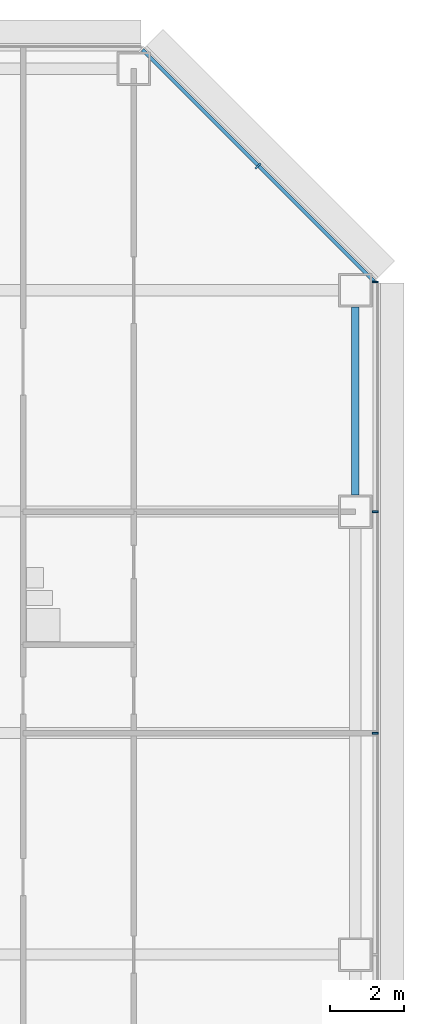
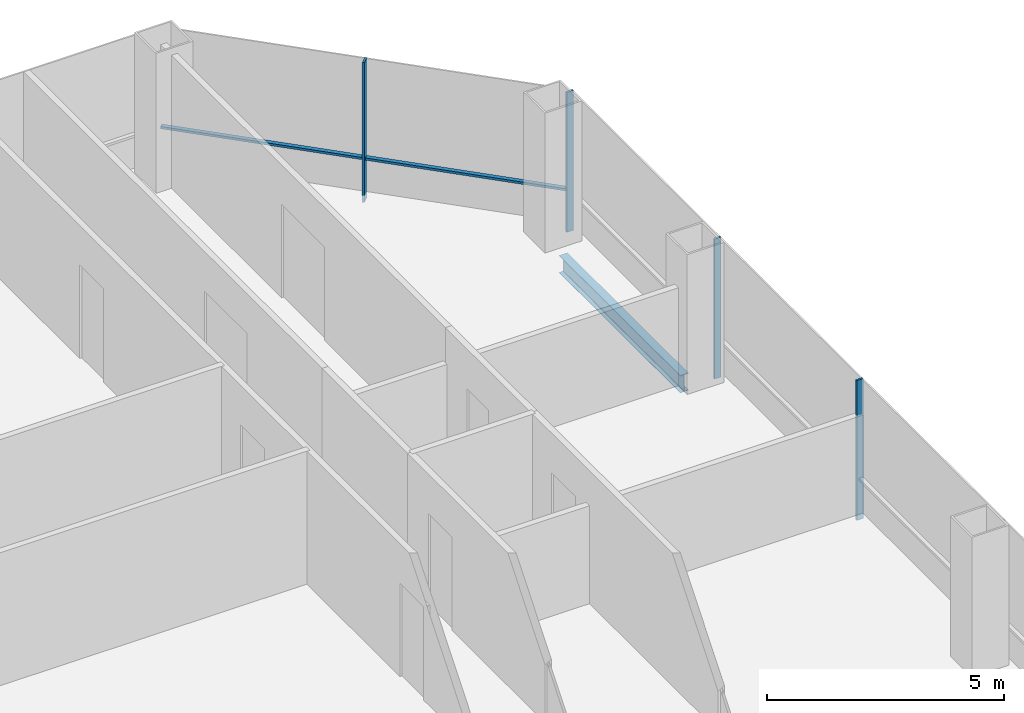
# One storey, part 18 of 28: 5 members, 1 beam, 2 elements without a shape of their own.
"""IFC4 building model written with IfcOpenShell, lengths in metres."""

from ifc_helpers import new_model, si_unit, direction, frame, origin, origin_2d, place, context, subcontext, project, spatial, rectangle, i_section, extrude, material, material_profile, profile_set, type_object, element, aggregate, save


model = new_model("IFC4")

# Units and contexts
model_context = context("Model", 3, precision=1e-05, world=origin(), true_north=direction((0.0, 1.0)))
body_context = subcontext(model_context, "Body", "Model", "MODEL_VIEW")
ifc_project = project(units=[si_unit("LENGTHUNIT", "METRE"), si_unit("AREAUNIT", "SQUARE_METRE"), si_unit("VOLUMEUNIT", "CUBIC_METRE"), si_unit("PLANEANGLEUNIT", "RADIAN"), si_unit("MASSUNIT", "GRAM", prefix="KILO")], contexts=[model_context])

# Site, building, storey
site_placement = place(None, origin())
site = spatial("IfcSite", under=ifc_project, at=site_placement, CompositionType="ELEMENT")
building_placement = place(site_placement, origin())
building = spatial("IfcBuilding", under=site, at=building_placement, Name="Sorahane Residences", CompositionType="ELEMENT")
storey_placement = place(building_placement, frame((0.0, 0.0, 60.60009765625)))
storey = spatial("IfcBuildingStorey", under=building, at=storey_placement, Name="L11", CompositionType="ELEMENT", Elevation=60.60009765625)

# Curtain wall, members
ifc_material_1 = material(Name="Dark low-e glass and black anodised aluminium", Category="aluminium")
curtain_wall_type_1 = type_object("IfcCurtainWallType", Name="Curtain wall CW-1 Typical unitised wall", PredefinedType="NOTDEFINED", material=ifc_material_1)
curtain_wall_1_placement = place(storey_placement, origin())
curtain_wall_1 = element("IfcCurtainWall", 1, at=curtain_wall_1_placement, inside=storey, type_object=curtain_wall_type_1, Name="CW-1 curtain wall L11 E1", PredefinedType="NOTDEFINED")
ifc_material_2 = material(Name="Black anodised aluminium", Category="aluminium")
ifc_material_profile_1 = material_profile(ifc_material_2, rectangle(XDim=0.159912109375, YDim=0.050048828125, at=origin_2d()), Name="Curtain wall mullion CW-1 black anodised aluminium 50x160")
ifc_profile_set_1 = profile_set([ifc_material_profile_1], Name="Black anodised aluminium")
member_type_1 = type_object("IfcMemberType", Name="Curtain wall mullion CW-1 black anodised aluminium 50x160", PredefinedType="MULLION", material=ifc_profile_set_1)
member_1_placement = place(storey_placement, frame((66.5400390625, 30.0, -0.18017578125), z_axis=(0.0, 0.0, 1.0), x_axis=(1.0, 0.0, 0.0)))
member_1 = element("IfcMember", 2, at=member_1_placement, type_object=member_type_1, Name="CW-1 mullion L11 E1.5", PredefinedType="MULLION", context=body_context, shape_type="SweptSolid", body=[
    extrude(rectangle(XDim=0.159912109375, YDim=0.050048828125, at=origin_2d()), origin(), (0.0, 0.0, 1.0), 3.60009765625),
])
member_2_placement = place(storey_placement, frame((66.5400390625, 36.0, -0.18017578125), z_axis=(0.0, 0.0, 1.0), x_axis=(1.0, 0.0, 0.0)))
member_2 = element("IfcMember", 3, at=member_2_placement, type_object=member_type_1, Name="CW-1 mullion L11 E1.6", PredefinedType="MULLION", context=body_context, shape_type="SweptSolid", body=[
    extrude(rectangle(XDim=0.159912109375, YDim=0.050048828125, at=origin_2d()), origin(), (0.0, 0.0, 1.0), 3.60009765625),
])
member_3_placement = place(storey_placement, frame((66.5400390625, 42.2236328125, -0.18017578125), z_axis=(0.0, 0.0, 1.0), x_axis=(1.0, 0.0, 0.0)))
member_3 = element("IfcMember", 4, at=member_3_placement, type_object=member_type_1, Name="CW-1 mullion L11 E1.7", PredefinedType="MULLION", context=body_context, shape_type="SweptSolid", body=[
    extrude(rectangle(XDim=0.159912109375, YDim=0.050048828125, at=origin_2d()), origin(), (0.0, 0.0, 1.0), 3.60009765625),
])
aggregate(curtain_wall_1, [member_1, member_2, member_3])

ifc_material_3 = material(Name="Dark low-e glass and black anodised aluminium", Category="aluminium")
curtain_wall_type_2 = type_object("IfcCurtainWallType", Name="Curtain wall CW-2 Chamfer unitised wall", PredefinedType="NOTDEFINED", material=ifc_material_3)
curtain_wall_2_placement = place(storey_placement, origin())
curtain_wall_2 = element("IfcCurtainWall", 5, at=curtain_wall_2_placement, inside=storey, type_object=curtain_wall_type_2, Name="CW-2 curtain wall L11 NE1", PredefinedType="NOTDEFINED")
ifc_material_4 = material(Name="Black anodised aluminium", Category="aluminium")
ifc_material_profile_2 = material_profile(ifc_material_4, rectangle(XDim=0.199951171875, YDim=0.050048828125, at=origin_2d()), Name="Curtain wall mullion CW-2 black anodised aluminium 50x200")
ifc_profile_set_2 = profile_set([ifc_material_profile_2], Name="Black anodised aluminium")
member_type_2 = type_object("IfcMemberType", Name="Curtain wall mullion CW-2 black anodised aluminium 50x200", PredefinedType="MULLION", material=ifc_profile_set_2)
member_4_placement = place(storey_placement, frame((63.36767578125, 45.36767578125, -0.18017578125), z_axis=(0.0, 0.0, 1.0), x_axis=(0.707106781187, 0.707106781187, 0.0)))
member_4 = element("IfcMember", 6, at=member_4_placement, type_object=member_type_2, Name="CW-2 mullion L11 NE1.2", PredefinedType="MULLION", context=body_context, shape_type="SweptSolid", body=[
    extrude(rectangle(XDim=0.199951171875, YDim=0.050048828125, at=origin_2d()), origin(), (0.0, 0.0, 1.0), 3.60009765625),
])
ifc_material_5 = material(Name="Black anodised aluminium", Category="aluminium")
ifc_material_profile_3 = material_profile(ifc_material_5, rectangle(XDim=0.10009765625, YDim=0.06005859375, at=origin_2d()), Name="Curtain wall transom CW-2 black anodised aluminium 60x100")
ifc_profile_set_3 = profile_set([ifc_material_profile_3], Name="Black anodised aluminium")
member_type_3 = type_object("IfcMemberType", Name="Curtain wall transom CW-2 black anodised aluminium 60x100", PredefinedType="USERDEFINED", material=ifc_profile_set_3)
member_5_placement = place(storey_placement, frame((66.51513671875, 42.234375, 0.89990234375), z_axis=(-0.707106781187, 0.707106781187, 0.0), x_axis=(-0.707106781187, -0.707106781187, 0.0)))
member_5 = element("IfcMember", 7, at=member_5_placement, type_object=member_type_3, Name="CW-2 transom L11 NE1", ObjectType="TRANSOM", PredefinedType="USERDEFINED", context=body_context, shape_type="SweptSolid", body=[
    extrude(rectangle(XDim=0.10009765625, YDim=0.06005859375, at=origin_2d()), origin(), (0.0, 0.0, 1.0), 8.88232421875),
])
aggregate(curtain_wall_2, [member_4, member_5])

# Beam
ifc_material_6 = material(Name="Steel Q355B", Category="steel")
ifc_material_profile_4 = material_profile(ifc_material_6, i_section(OverallWidth=0.199951171875, OverallDepth=0.449951171875, WebThickness=0.009033203125, FlangeThickness=0.013916015625, FilletRadius=0.02001953125, at=origin_2d()), Name="HN 450x200x9x14")
ifc_profile_set_4 = profile_set([ifc_material_profile_4], Name="Steel Q355B")
beam_type = type_object("IfcBeamType", Name="Steel floor beam HN 450x200x9x14 Q355B", PredefinedType="BEAM", material=ifc_profile_set_4)
beam_placement = place(storey_placement, frame((66.0, 36.449951171875, -0.405029296875), z_axis=(0.0, 1.0, 0.0), x_axis=(-1.0, 0.0, 0.0)))
element("IfcBeam", 8, at=beam_placement, inside=storey, type_object=beam_type, Name="Beam L11 059", PredefinedType="BEAM", context=body_context, shape_type="SweptSolid", body=[
    extrude(i_section(OverallWidth=0.199951171875, OverallDepth=0.449951171875, WebThickness=0.009033203125, FlangeThickness=0.013916015625, FilletRadius=0.02001953125, at=origin_2d()), origin(), (0.0, 0.0, 1.0), 5.10009765625),
])

save(model, "model.ifc")
